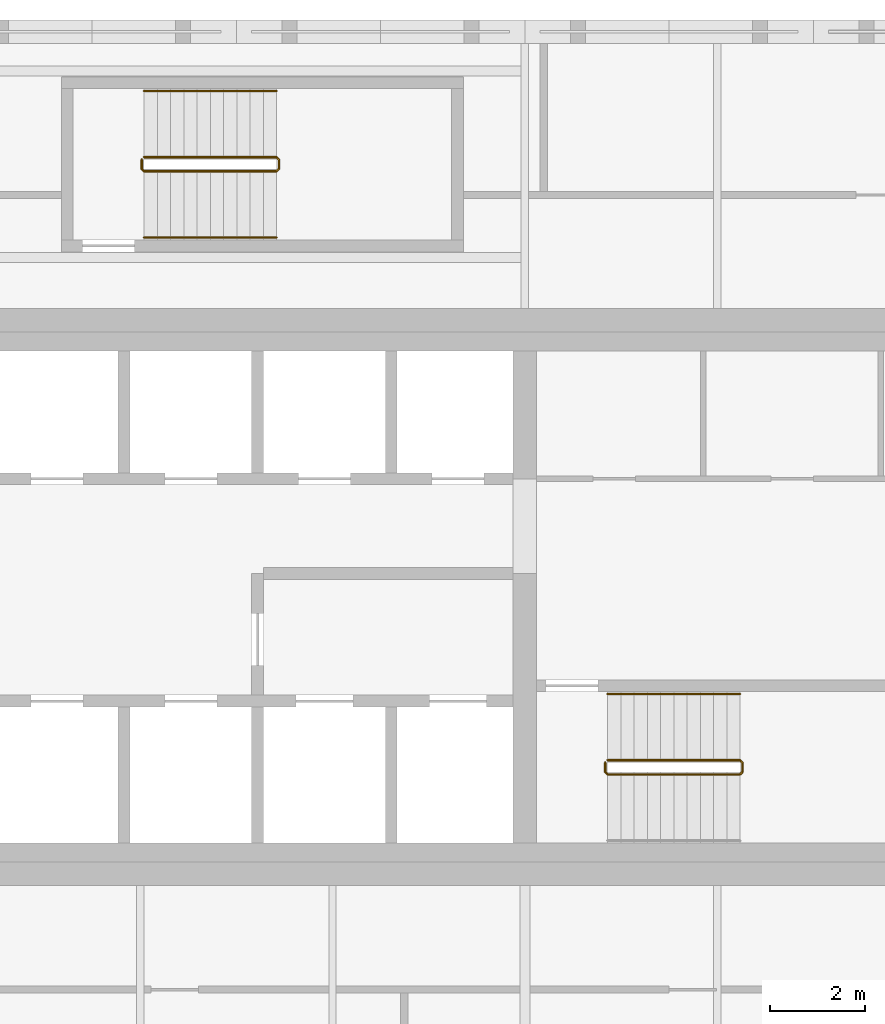
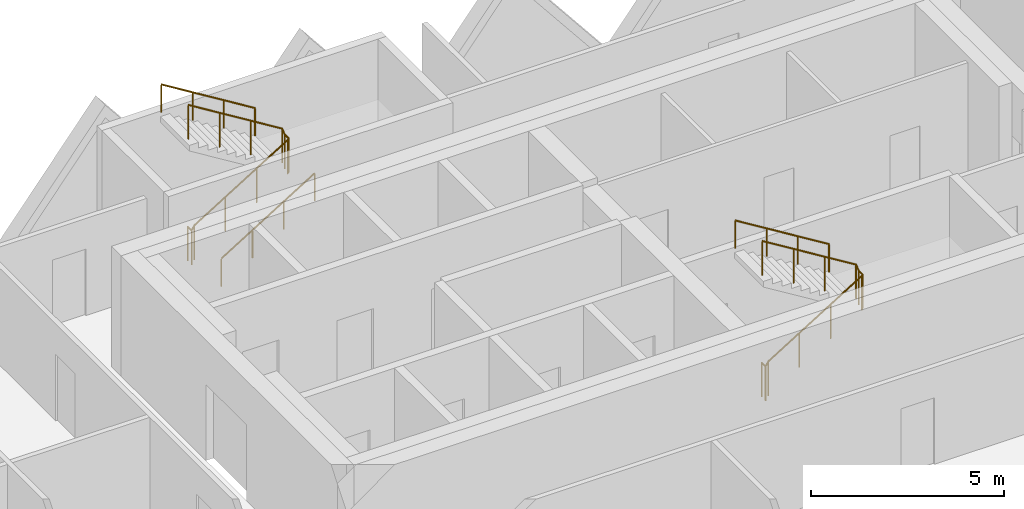
# One storey, part 18 of 19: 5 railings.
"""IFC4 building model written with IfcOpenShell, lengths in metres."""

from ifc_helpers import new_model, si_unit, direction, frame, origin, origin_2d, place, context, subcontext, project, spatial, circle, extrude, material, type_object, element, save


model = new_model("IFC4")

# Units and contexts
model_context = context("Model", 3, precision=1e-05, world=origin(), true_north=direction((0.0, 1.0)))
body_context = subcontext(model_context, "Body", "Model", "MODEL_VIEW")
ifc_project = project(units=[si_unit("LENGTHUNIT", "METRE"), si_unit("AREAUNIT", "SQUARE_METRE"), si_unit("VOLUMEUNIT", "CUBIC_METRE"), si_unit("PLANEANGLEUNIT", "RADIAN"), si_unit("MASSUNIT", "GRAM", prefix="KILO")], contexts=[model_context])

# Site, building, storey
site_placement = place(None, origin())
site = spatial("IfcSite", under=ifc_project, at=site_placement, CompositionType="ELEMENT")
building_placement = place(site_placement, origin())
building = spatial("IfcBuilding", under=site, at=building_placement, Name="Tessera Gate Towers", CompositionType="ELEMENT")
storey_placement = place(building_placement, frame((0.0, 0.0, 80.0)))
storey = spatial("IfcBuildingStorey", under=building, at=storey_placement, Name="L19", CompositionType="ELEMENT", Elevation=80.0)

# Railings
ifc_material_1 = material(Name="Steel 350W", Category="steel")
railing_type_1 = type_object("IfcRailingType", Name="STAIR GUARD 1100", PredefinedType="GUARDRAIL", material=ifc_material_1)
railing_1_placement = place(storey_placement, frame((111.5, 39.199951171875, 0.0)))
element("IfcRailing", 1, at=railing_1_placement, inside=storey, type_object=railing_type_1, Name="L19 ST6 stair guard 1", PredefinedType="GUARDRAIL", context=body_context, shape_type="SweptSolid", body=[
    extrude(circle(Radius=0.02392578125, at=origin_2d()), frame((0.0, 0.0, 1.076171875), z_axis=(0.0, -1.0, 0.0), x_axis=(1.0, 0.0, 0.0)), (0.0, 0.0, 1.0), 0.199951171875),
    extrude(circle(Radius=0.02392578125, at=origin_2d()), frame((0.0, -0.199951171875, 1.076171875), z_axis=(0.268277960024, -0.268277960024, 0.925231793839), x_axis=(0.707106781187, 0.707106781187, 0.0)), (0.0, 0.0, 1.0), 0.1865234375),
    extrude(circle(Radius=0.02392578125, at=origin_2d()), frame((0.050048828125, -0.25, 1.24853515625), z_axis=(0.851089632645, 0.0, 0.525020415988), x_axis=(0.0, 1.0, 0.0)), (0.0, 0.0, 1.0), 3.2900390625),
    extrude(circle(Radius=0.02392578125, at=origin_2d()), frame((2.85009765625, -0.25, 2.97607421875), z_axis=(0.705375805398, 0.708833529934, 0.0), x_axis=(-0.708833529934, 0.705375805398, 0.0)), (0.0, 0.0, 1.0), 0.070556640625),
    extrude(circle(Radius=0.02392578125, at=origin_2d()), frame((2.89990234375, -0.199951171875, 2.97607421875), z_axis=(0.0, 1.0, 0.0), x_axis=(-1.0, 0.0, 0.0)), (0.0, 0.0, 1.0), 0.199951171875),
    extrude(circle(Radius=0.02392578125, at=origin_2d()), frame((2.89990234375, 0.0, 2.97607421875), z_axis=(-0.266739603011, 0.268047150085, 0.925743328097), x_axis=(-0.708833529934, -0.705375805398, 0.0)), (0.0, 0.0, 1.0), 0.186767578125),
    extrude(circle(Radius=0.02392578125, at=origin_2d()), frame((2.85009765625, 0.050048828125, 3.14892578125), z_axis=(-0.851089632645, 0.0, 0.525020415988), x_axis=(0.0, -1.0, 0.0)), (0.0, 0.0, 1.0), 3.2900390625),
    extrude(circle(Radius=0.02099609375, at=origin_2d()), origin(), (0.0, 0.0, 1.0), 1.052001953125),
    extrude(circle(Radius=0.02099609375, at=origin_2d()), frame((0.0, -0.199951171875, 0.0)), (0.0, 0.0, 1.0), 1.052001953125),
    extrude(circle(Radius=0.02099609375, at=origin_2d()), frame((0.050048828125, -0.25, 0.172607421875)), (0.0, 0.0, 1.0), 1.052001953125),
    extrude(circle(Radius=0.02099609375, at=origin_2d()), frame((0.9833984375, -0.25, 0.748291015625)), (0.0, 0.0, 1.0), 1.052001953125),
    extrude(circle(Radius=0.02099609375, at=origin_2d()), frame((1.916748046875, -0.25, 1.32421875)), (0.0, 0.0, 1.0), 1.052001953125),
    extrude(circle(Radius=0.02099609375, at=origin_2d()), frame((2.85009765625, -0.25, 1.89990234375)), (0.0, 0.0, 1.0), 1.052001953125),
    extrude(circle(Radius=0.02099609375, at=origin_2d()), frame((2.89990234375, -0.199951171875, 1.89990234375)), (0.0, 0.0, 1.0), 1.052001953125),
    extrude(circle(Radius=0.02099609375, at=origin_2d()), frame((2.89990234375, 0.0, 1.89990234375)), (0.0, 0.0, 1.0), 1.052001953125),
    extrude(circle(Radius=0.02099609375, at=origin_2d()), frame((2.85009765625, 0.050048828125, 2.07275390625)), (0.0, 0.0, 1.0), 1.052001953125),
    extrude(circle(Radius=0.02099609375, at=origin_2d()), frame((1.916748046875, 0.050048828125, 2.6484375)), (0.0, 0.0, 1.0), 1.052001953125),
    extrude(circle(Radius=0.02099609375, at=origin_2d()), frame((0.9833984375, 0.050048828125, 3.224365234375)), (0.0, 0.0, 1.0), 1.052001953125),
    extrude(circle(Radius=0.02099609375, at=origin_2d()), frame((0.050048828125, 0.050048828125, 3.800048828125)), (0.0, 0.0, 1.0), 1.052001953125),
])
railing_2_placement = place(storey_placement, frame((101.699951171875, 51.949951171875, 0.0)))
element("IfcRailing", 2, at=railing_2_placement, inside=storey, type_object=railing_type_1, Name="L19 ST7 stair guard 1", PredefinedType="GUARDRAIL", context=body_context, shape_type="SweptSolid", body=[
    extrude(circle(Radius=0.02392578125, at=origin_2d()), frame((0.0, 0.0, 1.076171875), z_axis=(0.0, -1.0, 0.0), x_axis=(1.0, 0.0, 0.0)), (0.0, 0.0, 1.0), 0.199951171875),
    extrude(circle(Radius=0.02392578125, at=origin_2d()), frame((0.0, -0.199951171875, 1.076171875), z_axis=(0.268277960024, -0.268277960024, 0.925231793839), x_axis=(0.707106781187, 0.707106781187, 0.0)), (0.0, 0.0, 1.0), 0.1865234375),
    extrude(circle(Radius=0.02392578125, at=origin_2d()), frame((0.050048828125, -0.25, 1.24853515625), z_axis=(0.851089632645, 0.0, 0.525020415988), x_axis=(0.0, 1.0, 0.0)), (0.0, 0.0, 1.0), 3.2900390625),
    extrude(circle(Radius=0.02392578125, at=origin_2d()), frame((2.85009765625, -0.25, 2.97607421875), z_axis=(0.707106781187, 0.707106781187, 0.0), x_axis=(-0.707106781187, 0.707106781187, 0.0)), (0.0, 0.0, 1.0), 0.07080078125),
    extrude(circle(Radius=0.02392578125, at=origin_2d()), frame((2.900146484375, -0.199951171875, 2.97607421875), z_axis=(0.0, 1.0, 0.0), x_axis=(-1.0, 0.0, 0.0)), (0.0, 0.0, 1.0), 0.199951171875),
    extrude(circle(Radius=0.02392578125, at=origin_2d()), frame((2.900146484375, 0.0, 2.97607421875), z_axis=(-0.267953482034, 0.267953482034, 0.925419830635), x_axis=(-0.707106781187, -0.707106781187, 0.0)), (0.0, 0.0, 1.0), 0.186767578125),
    extrude(circle(Radius=0.02392578125, at=origin_2d()), frame((2.85009765625, 0.050048828125, 3.14892578125), z_axis=(-0.851089632645, 0.0, 0.525020415988), x_axis=(0.0, -1.0, 0.0)), (0.0, 0.0, 1.0), 3.2900390625),
    extrude(circle(Radius=0.02099609375, at=origin_2d()), origin(), (0.0, 0.0, 1.0), 1.052001953125),
    extrude(circle(Radius=0.02099609375, at=origin_2d()), frame((0.0, -0.199951171875, 0.0)), (0.0, 0.0, 1.0), 1.052001953125),
    extrude(circle(Radius=0.02099609375, at=origin_2d()), frame((0.050048828125, -0.25, 0.172607421875)), (0.0, 0.0, 1.0), 1.052001953125),
    extrude(circle(Radius=0.02099609375, at=origin_2d()), frame((0.9833984375, -0.25, 0.748291015625)), (0.0, 0.0, 1.0), 1.052001953125),
    extrude(circle(Radius=0.02099609375, at=origin_2d()), frame((1.916748046875, -0.25, 1.32421875)), (0.0, 0.0, 1.0), 1.052001953125),
    extrude(circle(Radius=0.02099609375, at=origin_2d()), frame((2.85009765625, -0.25, 1.89990234375)), (0.0, 0.0, 1.0), 1.052001953125),
    extrude(circle(Radius=0.02099609375, at=origin_2d()), frame((2.900146484375, -0.199951171875, 1.89990234375)), (0.0, 0.0, 1.0), 1.052001953125),
    extrude(circle(Radius=0.02099609375, at=origin_2d()), frame((2.900146484375, 0.0, 1.89990234375)), (0.0, 0.0, 1.0), 1.052001953125),
    extrude(circle(Radius=0.02099609375, at=origin_2d()), frame((2.85009765625, 0.050048828125, 2.07275390625)), (0.0, 0.0, 1.0), 1.052001953125),
    extrude(circle(Radius=0.02099609375, at=origin_2d()), frame((1.916748046875, 0.050048828125, 2.6484375)), (0.0, 0.0, 1.0), 1.052001953125),
    extrude(circle(Radius=0.02099609375, at=origin_2d()), frame((0.9833984375, 0.050048828125, 3.224365234375)), (0.0, 0.0, 1.0), 1.052001953125),
    extrude(circle(Radius=0.02099609375, at=origin_2d()), frame((0.050048828125, 0.050048828125, 3.800048828125)), (0.0, 0.0, 1.0), 1.052001953125),
])
ifc_material_2 = material(Name="Steel 350W", Category="steel")
railing_type_2 = type_object("IfcRailingType", Name="STAIR HANDRAIL 900", PredefinedType="HANDRAIL", material=ifc_material_2)
railing_3_placement = place(storey_placement, frame((114.35009765625, 40.64990234375, 2.07275390625)))
element("IfcRailing", 3, at=railing_3_placement, inside=storey, type_object=railing_type_2, Name="L19 ST6 stair handrail 2", PredefinedType="HANDRAIL", context=body_context, shape_type="SweptSolid", body=[
    extrude(circle(Radius=0.02392578125, at=origin_2d()), frame((0.0, 0.0, 0.8759765625), z_axis=(-0.851089632645, 0.0, 0.525020415988), x_axis=(0.0, -1.0, 0.0)), (0.0, 0.0, 1.0), 3.2900390625),
    extrude(circle(Radius=0.02099609375, at=origin_2d()), origin(), (0.0, 0.0, 1.0), 0.851806640625),
    extrude(circle(Radius=0.02099609375, at=origin_2d()), frame((-0.933349609375, 0.0, 0.57568359375)), (0.0, 0.0, 1.0), 0.851806640625),
    extrude(circle(Radius=0.02099609375, at=origin_2d()), frame((-1.86669921875, 0.0, 1.151611328125)), (0.0, 0.0, 1.0), 0.851806640625),
    extrude(circle(Radius=0.02099609375, at=origin_2d()), frame((-2.800048828125, 0.0, 1.727294921875)), (0.0, 0.0, 1.0), 0.851806640625),
])
railing_4_placement = place(storey_placement, frame((101.75, 50.300048828125, 0.172607421875)))
element("IfcRailing", 4, at=railing_4_placement, inside=storey, type_object=railing_type_2, Name="L19 ST7 stair handrail 1", PredefinedType="HANDRAIL", context=body_context, shape_type="SweptSolid", body=[
    extrude(circle(Radius=0.02392578125, at=origin_2d()), frame((0.0, 0.0, 0.8759765625), z_axis=(0.851089632645, 0.0, 0.525020415988), x_axis=(0.0, 1.0, 0.0)), (0.0, 0.0, 1.0), 3.2900390625),
    extrude(circle(Radius=0.02099609375, at=origin_2d()), origin(), (0.0, 0.0, 1.0), 0.851806640625),
    extrude(circle(Radius=0.02099609375, at=origin_2d()), frame((0.933349609375, 0.0, 0.57568359375)), (0.0, 0.0, 1.0), 0.851806640625),
    extrude(circle(Radius=0.02099609375, at=origin_2d()), frame((1.86669921875, 0.0, 1.151611328125)), (0.0, 0.0, 1.0), 0.851806640625),
    extrude(circle(Radius=0.02099609375, at=origin_2d()), frame((2.800048828125, 0.0, 1.727294921875)), (0.0, 0.0, 1.0), 0.851806640625),
])
railing_5_placement = place(storey_placement, frame((104.550048828125, 53.39990234375, 2.07275390625)))
element("IfcRailing", 5, at=railing_5_placement, inside=storey, type_object=railing_type_2, Name="L19 ST7 stair handrail 2", PredefinedType="HANDRAIL", context=body_context, shape_type="SweptSolid", body=[
    extrude(circle(Radius=0.02392578125, at=origin_2d()), frame((0.0, 0.0, 0.8759765625), z_axis=(-0.851089632645, 0.0, 0.525020415988), x_axis=(0.0, -1.0, 0.0)), (0.0, 0.0, 1.0), 3.2900390625),
    extrude(circle(Radius=0.02099609375, at=origin_2d()), origin(), (0.0, 0.0, 1.0), 0.851806640625),
    extrude(circle(Radius=0.02099609375, at=origin_2d()), frame((-0.933349609375, 0.0, 0.57568359375)), (0.0, 0.0, 1.0), 0.851806640625),
    extrude(circle(Radius=0.02099609375, at=origin_2d()), frame((-1.86669921875, 0.0, 1.151611328125)), (0.0, 0.0, 1.0), 0.851806640625),
    extrude(circle(Radius=0.02099609375, at=origin_2d()), frame((-2.800048828125, 0.0, 1.727294921875)), (0.0, 0.0, 1.0), 0.851806640625),
])

save(model, "model.ifc")
